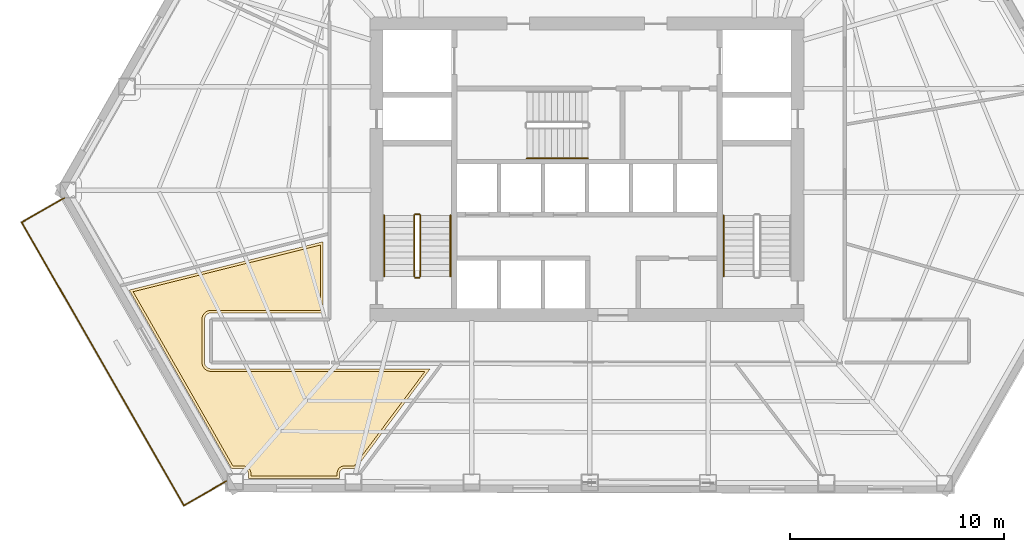
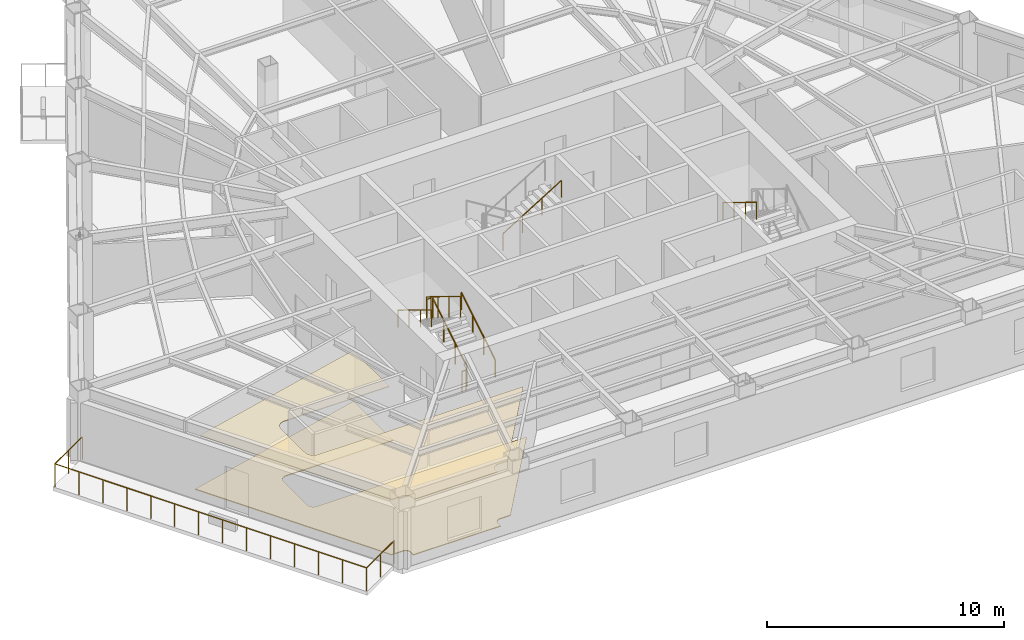
# One storey, part 11 of 14: 11 railings, 2 coverings.
"""IFC4 building model written with IfcOpenShell, lengths in metres."""

from ifc_helpers import new_model, si_unit, direction, frame, origin, origin_2d, place, context, subcontext, project, spatial, polyline, circle, outline, extrude, material, layer, layer_set, type_object, element, save


model = new_model("IFC4")

# Units and contexts
model_context = context("Model", 3, precision=1e-05, world=origin(), true_north=direction((0.0, 1.0)))
body_context = subcontext(model_context, "Body", "Model", "MODEL_VIEW")
ifc_project = project(units=[si_unit("LENGTHUNIT", "METRE"), si_unit("AREAUNIT", "SQUARE_METRE"), si_unit("VOLUMEUNIT", "CUBIC_METRE"), si_unit("PLANEANGLEUNIT", "RADIAN"), si_unit("MASSUNIT", "GRAM", prefix="KILO")], contexts=[model_context])

# Site, building, storey
site_placement = place(None, origin())
site = spatial("IfcSite", under=ifc_project, at=site_placement, CompositionType="ELEMENT")
building_placement = place(site_placement, origin())
building = spatial("IfcBuilding", under=site, at=building_placement, Name="Kavelnor Concourse Tower", CompositionType="ELEMENT")
storey_placement = place(building_placement, frame((0.0, 0.0, 32.949951171875)))
storey = spatial("IfcBuildingStorey", under=building, at=storey_placement, Name="L08", CompositionType="ELEMENT", Elevation=32.949951171875)

# Coverings
ifc_material_1 = material(Name="Mineral fibre acoustic ceiling tile")
ifc_layer_1 = layer(ifc_material_1, 0.0400390625, Name="Mineral fibre acoustic ceiling tile")
ifc_layer_set_1 = layer_set([ifc_layer_1], Name="Mineral fibre acoustic ceiling tile")
covering_type_1 = type_object("IfcCoveringType", Name="COV-CEILING-ACOUSTIC", PredefinedType="CEILING", material=ifc_layer_set_1)
covering_1_placement = place(storey_placement, frame((0.0, 0.0, 2.75)))
element("IfcCovering", 1, at=covering_1_placement, inside=storey, type_object=covering_type_1, Name="L08 Suspended Acoustic Ceiling", PredefinedType="CEILING", context=body_context, shape_type="SweptSolid", body=[
    extrude(outline(polyline([(20.451904296875, 9.5224609375), (20.418701171875, 9.52099609375), (20.377685546875, 9.514892578125), (20.33740234375, 9.504638671875), (20.298583984375, 9.49072265625), (20.260986328125, 9.472900390625), (20.225341796875, 9.45166015625), (20.19189453125, 9.427001953125), (20.161376953125, 9.39892578125), (20.13330078125, 9.368408203125), (20.108642578125, 9.3349609375), (20.08740234375, 9.29931640625), (20.069580078125, 9.26171875), (20.0556640625, 9.222900390625), (20.04541015625, 9.1826171875), (20.039306640625, 9.1416015625), (20.037841796875, 9.1083984375), (20.037841796875, 7.091796875), (20.039306640625, 7.05859375), (20.04541015625, 7.017578125), (20.0556640625, 6.977294921875), (20.069580078125, 6.938232421875), (20.08740234375, 6.900634765625), (20.108642578125, 6.864990234375), (20.13330078125, 6.831787109375), (20.161376953125, 6.801025390625), (20.19189453125, 6.773193359375), (20.225341796875, 6.748291015625), (20.260986328125, 6.72705078125), (20.298583984375, 6.709228515625), (20.33740234375, 6.6953125), (20.377685546875, 6.685302734375), (20.418701171875, 6.67919921875), (20.451904296875, 6.677490234375), (25.98828125, 6.677490234375), (26.021484375, 6.67919921875), (26.030029296875, 6.680419921875), (26.03857421875, 6.67919921875), (26.07177734375, 6.677490234375), (30.44091796875, 6.677490234375), (27.148193359375, 2.27099609375), (26.68994140625, 2.27099609375), (26.6630859375, 2.269775390625), (26.6279296875, 2.2646484375), (26.59375, 2.256103515625), (26.560302734375, 2.244140625), (26.5283203125, 2.22900390625), (26.498046875, 2.210693359375), (26.4697265625, 2.189697265625), (26.443603515625, 2.166015625), (26.419677734375, 2.1396484375), (26.398681640625, 2.111328125), (26.38037109375, 2.0810546875), (26.365234375, 2.049072265625), (26.353515625, 2.015625), (26.3447265625, 1.9814453125), (26.339599609375, 1.9462890625), (26.33837890625, 1.91943359375), (26.33837890625, 1.792724609375), (22.32421875, 1.8017578125), (22.32421875, 1.91162109375), (22.32275390625, 1.938720703125), (22.317626953125, 1.9736328125), (22.30908203125, 2.008056640625), (22.297119140625, 2.041259765625), (22.281982421875, 2.0732421875), (22.263916015625, 2.103515625), (22.24267578125, 2.132080078125), (22.218994140625, 2.158203125), (22.192626953125, 2.181884765625), (22.164306640625, 2.203125), (22.134033203125, 2.22119140625), (22.10205078125, 2.236328125), (22.068603515625, 2.248291015625), (22.034423828125, 2.2568359375), (21.99951171875, 2.26220703125), (21.972412109375, 2.263427734375), (21.48291015625, 2.263427734375), (16.8271484375, 10.393310546875), (25.5576171875, 12.570068359375), (25.5576171875, 9.5224609375), (20.451904296875, 9.5224609375)])), origin(), (0.0, 0.0, 1.0), 0.0400390625),
])
ifc_material_2 = material(Name="Honed bluestone and raised access floor finish", Category="masonry")
ifc_layer_2 = layer(ifc_material_2, 0.0400390625, Name="Honed bluestone and raised access floor finish")
ifc_layer_set_2 = layer_set([ifc_layer_2], Name="Honed bluestone and raised access floor finish")
covering_type_2 = type_object("IfcCoveringType", Name="COV-FLOOR-STONE", PredefinedType="FLOORING", material=ifc_layer_set_2)
covering_2_placement = place(storey_placement, frame((0.0, 0.0, 0.001953125)))
element("IfcCovering", 2, at=covering_2_placement, inside=storey, type_object=covering_type_2, Name="L08 Honed Bluestone Floor Finish", PredefinedType="FLOORING", context=body_context, shape_type="SweptSolid", body=[
    extrude(outline(polyline([(20.454833984375, 9.402587890625), (20.4306640625, 9.4013671875), (20.401123046875, 9.39697265625), (20.372314453125, 9.3896484375), (20.344482421875, 9.379638671875), (20.317626953125, 9.366943359375), (20.2919921875, 9.351806640625), (20.268310546875, 9.333984375), (20.24609375, 9.314208984375), (20.226318359375, 9.2919921875), (20.20849609375, 9.268310546875), (20.193359375, 9.24267578125), (20.1806640625, 9.2158203125), (20.170654296875, 9.18798828125), (20.163330078125, 9.1591796875), (20.158935546875, 9.129638671875), (20.15771484375, 9.10546875), (20.15771484375, 7.094482421875), (20.158935546875, 7.0703125), (20.163330078125, 7.041015625), (20.170654296875, 7.01220703125), (20.1806640625, 6.984130859375), (20.193359375, 6.957275390625), (20.20849609375, 6.931884765625), (20.226318359375, 6.907958984375), (20.24609375, 6.885986328125), (20.268310546875, 6.865966796875), (20.2919921875, 6.848388671875), (20.317626953125, 6.8330078125), (20.344482421875, 6.8203125), (20.372314453125, 6.810302734375), (20.401123046875, 6.802978515625), (20.4306640625, 6.798583984375), (20.454833984375, 6.797607421875), (25.9853515625, 6.797607421875), (26.009765625, 6.798583984375), (26.030029296875, 6.8017578125), (26.05029296875, 6.798583984375), (26.07470703125, 6.797607421875), (30.680419921875, 6.797607421875), (27.208251953125, 2.151123046875), (26.69287109375, 2.151123046875), (26.6748046875, 2.150146484375), (26.6513671875, 2.146728515625), (26.628662109375, 2.14111328125), (26.6064453125, 2.133056640625), (26.5849609375, 2.123046875), (26.564697265625, 2.11083984375), (26.5458984375, 2.0966796875), (26.5283203125, 2.0810546875), (26.5126953125, 2.0634765625), (26.49853515625, 2.044677734375), (26.486328125, 2.0244140625), (26.476318359375, 2.0029296875), (26.468505859375, 1.980712890625), (26.462646484375, 1.9580078125), (26.459228515625, 1.934814453125), (26.458251953125, 1.91650390625), (26.458251953125, 1.672607421875), (22.2041015625, 1.681884765625), (22.2041015625, 1.90869140625), (22.203125, 1.927001953125), (22.19970703125, 1.9501953125), (22.194091796875, 1.97314453125), (22.18603515625, 1.995361328125), (22.176025390625, 2.0166015625), (22.163818359375, 2.036865234375), (22.14990234375, 2.055908203125), (22.134033203125, 2.0732421875), (22.116455078125, 2.089111328125), (22.09765625, 2.103271484375), (22.077392578125, 2.115234375), (22.055908203125, 2.12548828125), (22.03369140625, 2.13330078125), (22.010986328125, 2.138916015625), (21.98779296875, 2.142578125), (21.969482421875, 2.143310546875), (21.413330078125, 2.143310546875), (16.644287109375, 10.471435546875), (25.677490234375, 12.7236328125), (25.677490234375, 9.402587890625), (20.454833984375, 9.402587890625)])), origin(), (0.0, 0.0, 1.0), 0.0400390625),
])

# Railings
ifc_material_3 = material(Name="Steel Grade 350", Category="steel")
railing_type_1 = type_object("IfcRailingType", Name="RLG-GUARD-1100", PredefinedType="GUARDRAIL", material=ifc_material_3)
railing_1_placement = place(storey_placement, frame((30.22998046875, 11.10009765625, 0.175048828125)))
element("IfcRailing", 3, at=railing_1_placement, inside=storey, type_object=railing_type_1, Name="L08 ST1 stair guard 1", PredefinedType="GUARDRAIL", context=body_context, shape_type="SweptSolid", body=[
    extrude(circle(Radius=0.02392578125, at=origin_2d()), frame((0.0, 0.0, 1.076171875), z_axis=(0.0, 0.852159232446, 0.523282564737), x_axis=(-1.0, 0.0, 0.0)), (0.0, 0.0, 1.0), 3.34423828125),
    extrude(circle(Radius=0.02099609375, at=origin_2d()), origin(), (0.0, 0.0, 1.0), 1.052001953125),
    extrude(circle(Radius=0.02099609375, at=origin_2d()), frame((0.0, 0.949951171875, 0.583251953125)), (0.0, 0.0, 1.0), 1.052001953125),
    extrude(circle(Radius=0.02099609375, at=origin_2d()), frame((0.0, 1.89990234375, 1.166748046875)), (0.0, 0.0, 1.0), 1.052001953125),
    extrude(circle(Radius=0.02099609375, at=origin_2d()), frame((0.0, 2.849853515625, 1.75)), (0.0, 0.0, 1.0), 1.052001953125),
])
railing_2_placement = place(storey_placement, frame((30.179931640625, 14.0, 1.925048828125)))
element("IfcRailing", 4, at=railing_2_placement, inside=storey, type_object=railing_type_1, Name="L08 ST1 stair guard 2", PredefinedType="GUARDRAIL", context=body_context, shape_type="SweptSolid", body=[
    extrude(circle(Radius=0.02392578125, at=origin_2d()), frame((0.0, 0.0, 1.076171875), z_axis=(-1.0, 0.0, 0.0), x_axis=(0.0, -1.0, 0.0)), (0.0, 0.0, 1.0), 0.199951171875),
    extrude(circle(Radius=0.02099609375, at=origin_2d()), origin(), (0.0, 0.0, 1.0), 1.052001953125),
    extrude(circle(Radius=0.02099609375, at=origin_2d()), frame((-0.199951171875, 0.0, 0.0)), (0.0, 0.0, 1.0), 1.052001953125),
])
railing_3_placement = place(storey_placement, frame((29.929931640625, 13.949951171875, 2.10009765625)))
element("IfcRailing", 5, at=railing_3_placement, inside=storey, type_object=railing_type_1, Name="L08 ST1 stair guard 3", PredefinedType="GUARDRAIL", context=body_context, shape_type="SweptSolid", body=[
    extrude(circle(Radius=0.02392578125, at=origin_2d()), frame((0.0, 0.0, 1.076171875), z_axis=(0.0, -0.852159232446, 0.523282564737), x_axis=(1.0, 0.0, 0.0)), (0.0, 0.0, 1.0), 3.34423828125),
    extrude(circle(Radius=0.02099609375, at=origin_2d()), origin(), (0.0, 0.0, 1.0), 1.052001953125),
    extrude(circle(Radius=0.02099609375, at=origin_2d()), frame((0.0, -0.949951171875, 0.583251953125)), (0.0, 0.0, 1.0), 1.052001953125),
    extrude(circle(Radius=0.02099609375, at=origin_2d()), frame((0.0, -1.89990234375, 1.166748046875)), (0.0, 0.0, 1.0), 1.052001953125),
    extrude(circle(Radius=0.02099609375, at=origin_2d()), frame((0.0, -2.849853515625, 1.75)), (0.0, 0.0, 1.0), 1.052001953125),
])
railing_4_placement = place(storey_placement, frame((30.179931640625, 11.050048828125, 0.0)))
element("IfcRailing", 6, at=railing_4_placement, inside=storey, type_object=railing_type_1, Name="L08 ST1 stair guard 4", PredefinedType="GUARDRAIL", context=body_context, shape_type="SweptSolid", body=[
    extrude(circle(Radius=0.02392578125, at=origin_2d()), frame((0.0, 0.0, 1.076171875), z_axis=(-1.0, 0.0, 0.0), x_axis=(0.0, -1.0, 0.0)), (0.0, 0.0, 1.0), 0.199951171875),
    extrude(circle(Radius=0.02099609375, at=origin_2d()), origin(), (0.0, 0.0, 1.0), 1.052001953125),
    extrude(circle(Radius=0.02099609375, at=origin_2d()), frame((-0.199951171875, 0.0, 0.0)), (0.0, 0.0, 1.0), 1.052001953125),
])
railing_type_2 = type_object("IfcRailingType", Name="RLG-HANDRAIL-900", PredefinedType="HANDRAIL", material=ifc_material_3)
railing_5_placement = place(storey_placement, frame((31.6298828125, 11.10009765625, 0.175048828125)))
element("IfcRailing", 7, at=railing_5_placement, inside=storey, type_object=railing_type_2, Name="L08 ST1 stair handrail 1", PredefinedType="HANDRAIL", context=body_context, shape_type="SweptSolid", body=[
    extrude(circle(Radius=0.02392578125, at=origin_2d()), frame((0.0, 0.0, 0.8759765625), z_axis=(0.0, 0.852159232446, 0.523282564737), x_axis=(-1.0, 0.0, 0.0)), (0.0, 0.0, 1.0), 3.34423828125),
    extrude(circle(Radius=0.02099609375, at=origin_2d()), origin(), (0.0, 0.0, 1.0), 0.851806640625),
    extrude(circle(Radius=0.02099609375, at=origin_2d()), frame((0.0, 0.949951171875, 0.583251953125)), (0.0, 0.0, 1.0), 0.851806640625),
    extrude(circle(Radius=0.02099609375, at=origin_2d()), frame((0.0, 1.89990234375, 1.166748046875)), (0.0, 0.0, 1.0), 0.851806640625),
    extrude(circle(Radius=0.02099609375, at=origin_2d()), frame((0.0, 2.849853515625, 1.75)), (0.0, 0.0, 1.0), 0.851806640625),
])
for number, where, name in (
    (8, (28.530029296875, 13.949951171875, 2.10009765625), "L08 ST1 stair handrail 2"),
    (9, (44.3701171875, 13.949951171875, 2.10009765625), "L08 ST2 stair handrail 2"),
):
    element("IfcRailing", number, at=place(storey_placement, frame(where)), inside=storey, type_object=railing_type_2, Name=name, PredefinedType="HANDRAIL", context=body_context, shape_type="SweptSolid", body=[
        extrude(circle(Radius=0.02392578125, at=origin_2d()), frame((0.0, 0.0, 0.8759765625), z_axis=(0.0, -0.852159232446, 0.523282564737), x_axis=(1.0, 0.0, 0.0)), (0.0, 0.0, 1.0), 3.34423828125),
        extrude(circle(Radius=0.02099609375, at=origin_2d()), origin(), (0.0, 0.0, 1.0), 0.851806640625),
        extrude(circle(Radius=0.02099609375, at=origin_2d()), frame((0.0, -0.949951171875, 0.583251953125)), (0.0, 0.0, 1.0), 0.851806640625),
        extrude(circle(Radius=0.02099609375, at=origin_2d()), frame((0.0, -1.89990234375, 1.166748046875)), (0.0, 0.0, 1.0), 0.851806640625),
        extrude(circle(Radius=0.02099609375, at=origin_2d()), frame((0.0, -2.849853515625, 1.75)), (0.0, 0.0, 1.0), 0.851806640625),
    ])
railing_6_placement = place(storey_placement, frame((35.18994140625, 16.610107421875, 2.10009765625)))
element("IfcRailing", 10, at=railing_6_placement, inside=storey, type_object=railing_type_2, Name="L08 ST3 stair handrail 2", PredefinedType="HANDRAIL", context=body_context, shape_type="SweptSolid", body=[
    extrude(circle(Radius=0.02392578125, at=origin_2d()), frame((0.0, 0.0, 0.8759765625), z_axis=(0.852179220489, 0.0, 0.52325001306), x_axis=(0.0, 1.0, 0.0)), (0.0, 0.0, 1.0), 3.344482421875),
    extrude(circle(Radius=0.02099609375, at=origin_2d()), origin(), (0.0, 0.0, 1.0), 0.851806640625),
    extrude(circle(Radius=0.02099609375, at=origin_2d()), frame((0.949951171875, 0.0, 0.583251953125)), (0.0, 0.0, 1.0), 0.851806640625),
    extrude(circle(Radius=0.02099609375, at=origin_2d()), frame((1.900146484375, 0.0, 1.166748046875)), (0.0, 0.0, 1.0), 0.851806640625),
    extrude(circle(Radius=0.02099609375, at=origin_2d()), frame((2.85009765625, 0.0, 1.75)), (0.0, 0.0, 1.0), 0.851806640625),
])
ifc_material_4 = material(Name="Architectural bronze-anodised aluminium", Category="aluminium")
railing_type_3 = type_object("IfcRailingType", Name="RLG-TERRACE-1200", PredefinedType="BALUSTRADE", material=ifc_material_4)
railing_7_placement = place(storey_placement, frame((13.628662109375, 14.77099609375, 0.0)))
element("IfcRailing", 11, at=railing_7_placement, inside=storey, type_object=railing_type_3, Name="L08 Spiral Terrace Guardrail L", PredefinedType="BALUSTRADE", context=body_context, shape_type="SweptSolid", body=[
    extrude(circle(Radius=0.02392578125, at=origin_2d()), frame((0.0, 0.0, 1.17578125), z_axis=(-0.867805125102, -0.496904683865, 0.0), x_axis=(0.496904683865, -0.867805125102, 0.0)), (0.0, 0.0, 1.0), 2.2998046875),
    extrude(circle(Radius=0.02099609375, at=origin_2d()), origin(), (0.0, 0.0, 1.0), 1.15185546875),
    extrude(circle(Radius=0.02099609375, at=origin_2d()), frame((-0.998046875, -0.5712890625, 0.0)), (0.0, 0.0, 1.0), 1.15185546875),
    extrude(circle(Radius=0.02099609375, at=origin_2d()), frame((-1.995849609375, -1.142822265625, 0.0)), (0.0, 0.0, 1.0), 1.15185546875),
])
railing_8_placement = place(storey_placement, frame((11.6328125, 13.628173828125, 0.0)))
element("IfcRailing", 12, at=railing_8_placement, inside=storey, type_object=railing_type_3, Name="L08 Spiral Terrace Guardrail F", PredefinedType="BALUSTRADE", context=body_context, shape_type="SweptSolid", body=[
    extrude(circle(Radius=0.02392578125, at=origin_2d()), frame((0.0, 0.0, 1.17578125), z_axis=(0.496955963844, -0.867775760206, 0.0), x_axis=(0.867775760206, 0.496955963844, 0.0)), (0.0, 0.0, 1.0), 15.217041015625),
    extrude(circle(Radius=0.02099609375, at=origin_2d()), origin(), (0.0, 0.0, 1.0), 1.15185546875),
    extrude(circle(Radius=0.02099609375, at=origin_2d()), frame((0.581787109375, -1.015869140625, 0.0)), (0.0, 0.0, 1.0), 1.15185546875),
    extrude(circle(Radius=0.02099609375, at=origin_2d()), frame((1.163330078125, -2.031494140625, 0.0)), (0.0, 0.0, 1.0), 1.15185546875),
    extrude(circle(Radius=0.02099609375, at=origin_2d()), frame((1.7451171875, -3.04736328125, 0.0)), (0.0, 0.0, 1.0), 1.15185546875),
    extrude(circle(Radius=0.02099609375, at=origin_2d()), frame((2.326904296875, -4.06298828125, 0.0)), (0.0, 0.0, 1.0), 1.15185546875),
    extrude(circle(Radius=0.02099609375, at=origin_2d()), frame((2.908447265625, -5.078857421875, 0.0)), (0.0, 0.0, 1.0), 1.15185546875),
    extrude(circle(Radius=0.02099609375, at=origin_2d()), frame((3.490234375, -6.0947265625, 0.0)), (0.0, 0.0, 1.0), 1.15185546875),
    extrude(circle(Radius=0.02099609375, at=origin_2d()), frame((4.072021484375, -7.1103515625, 0.0)), (0.0, 0.0, 1.0), 1.15185546875),
    extrude(circle(Radius=0.02099609375, at=origin_2d()), frame((4.65380859375, -8.126220703125, 0.0)), (0.0, 0.0, 1.0), 1.15185546875),
    extrude(circle(Radius=0.02099609375, at=origin_2d()), frame((5.2353515625, -9.14208984375, 0.0)), (0.0, 0.0, 1.0), 1.15185546875),
    extrude(circle(Radius=0.02099609375, at=origin_2d()), frame((5.817138671875, -10.15771484375, 0.0)), (0.0, 0.0, 1.0), 1.15185546875),
    extrude(circle(Radius=0.02099609375, at=origin_2d()), frame((6.39892578125, -11.173583984375, 0.0)), (0.0, 0.0, 1.0), 1.15185546875),
    extrude(circle(Radius=0.02099609375, at=origin_2d()), frame((6.98046875, -12.189208984375, 0.0)), (0.0, 0.0, 1.0), 1.15185546875),
    extrude(circle(Radius=0.02099609375, at=origin_2d()), frame((7.562255859375, -13.205078125, 0.0)), (0.0, 0.0, 1.0), 1.15185546875),
])
railing_9_placement = place(storey_placement, frame((19.195068359375, 0.423095703125, 0.0)))
element("IfcRailing", 13, at=railing_9_placement, inside=storey, type_object=railing_type_3, Name="L08 Spiral Terrace Guardrail R", PredefinedType="BALUSTRADE", context=body_context, shape_type="SweptSolid", body=[
    extrude(circle(Radius=0.02392578125, at=origin_2d()), frame((0.0, 0.0, 1.17578125), z_axis=(0.867759348687, 0.496984620251, 0.0), x_axis=(-0.496984620251, 0.867759348687, 0.0)), (0.0, 0.0, 1.0), 2.300048828125),
    extrude(circle(Radius=0.02099609375, at=origin_2d()), origin(), (0.0, 0.0, 1.0), 1.15185546875),
    extrude(circle(Radius=0.02099609375, at=origin_2d()), frame((0.998046875, 0.571533203125, 0.0)), (0.0, 0.0, 1.0), 1.15185546875),
    extrude(circle(Radius=0.02099609375, at=origin_2d()), frame((1.995849609375, 1.14306640625, 0.0)), (0.0, 0.0, 1.0), 1.15185546875),
])

save(model, "model.ifc")
